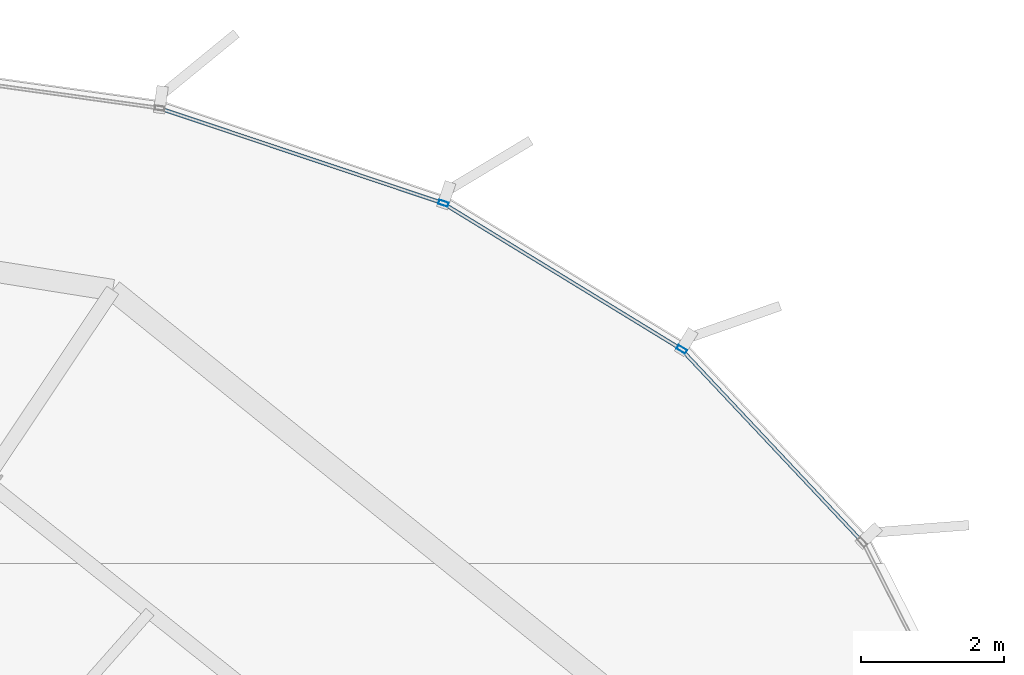
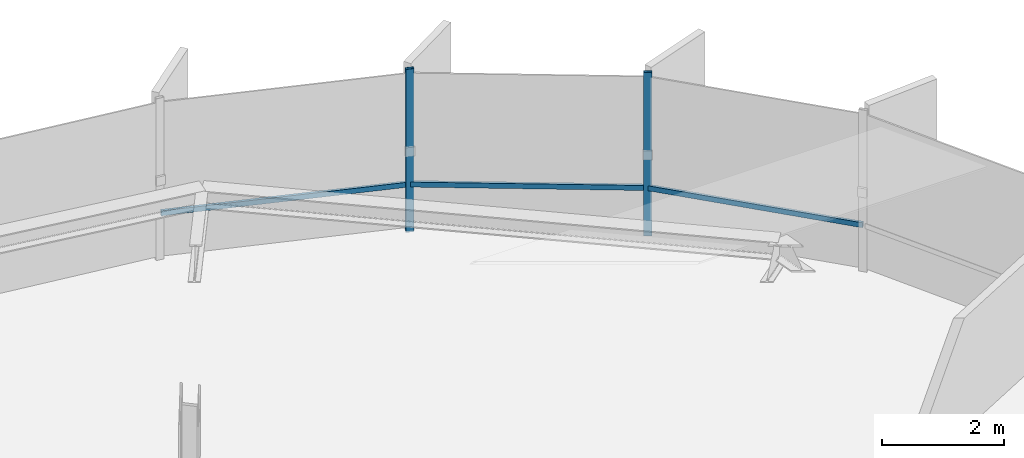
# One storey, part 27 of 36: 5 members, 1 element without a shape of its own.
"""IFC4 building model written with IfcOpenShell, lengths in metres."""

from ifc_helpers import new_model, si_unit, direction, frame, origin, origin_2d, place, context, subcontext, project, spatial, hollow_rectangle, extrude, source, transform, mapped, material, layer, layer_set, material_profile, profile_set, type_object, element, aggregate, save


model = new_model("IFC4")

# Units and contexts
model_context = context("Model", 3, precision=1e-05, world=origin(), true_north=direction((0.0, 1.0)))
body_context = subcontext(model_context, "Body", "Model", "MODEL_VIEW")
ifc_project = project(units=[si_unit("LENGTHUNIT", "METRE"), si_unit("AREAUNIT", "SQUARE_METRE"), si_unit("VOLUMEUNIT", "CUBIC_METRE"), si_unit("PLANEANGLEUNIT", "RADIAN"), si_unit("MASSUNIT", "GRAM", prefix="KILO"), si_unit("THERMODYNAMICTEMPERATUREUNIT", "KELVIN")], contexts=[model_context])

# Site, building, storey
site_placement = place(None, origin())
site = spatial("IfcSite", under=ifc_project, at=site_placement, CompositionType="ELEMENT")
building_placement = place(site_placement, origin())
building = spatial("IfcBuilding", under=site, at=building_placement, Name="Kethvar Cultural Tower", CompositionType="ELEMENT")
storey_placement = place(building_placement, frame((0.0, 0.0, 176.39990234375)))
storey = spatial("IfcBuildingStorey", under=building, at=storey_placement, Name="L45", CompositionType="ELEMENT", Elevation=176.39990234375)

# Curtain wall, members
ifc_material = material(Name="Aluminium 6063-T6", Category="aluminium")
ifc_layer = layer(ifc_material, 0.179931640625, Name="Aluminium 6063-T6", Category="aluminium")
ifc_layer_set = layer_set([ifc_layer], Name="Aluminium 6063-T6 (180 mm)")
curtain_wall_type = type_object("IfcCurtainWallType", Name="CW-SYS-04-Z34", PredefinedType="NOTDEFINED", material=ifc_layer_set)
curtain_wall_placement = place(storey_placement, origin())
curtain_wall = element("IfcCurtainWall", 1, at=curtain_wall_placement, inside=storey, type_object=curtain_wall_type, Name="L45 Curtain Wall Run 01", PredefinedType="NOTDEFINED")
ifc_material_profile_1 = material_profile(ifc_material, hollow_rectangle(XDim=0.06005859375, YDim=0.139892578125, WallThickness=0.0048828125, at=origin_2d()), Name="Aluminium 6063-T6 — RHS140x60x5")
ifc_profile_set_1 = profile_set([ifc_material_profile_1], Name="Aluminium 6063-T6 — RHS140x60x5")
member_type_1 = type_object("IfcMemberType", Name="CW-SYS-04-Z34-MUL", PredefinedType="MULLION", material=ifc_profile_set_1)
shared_shape_1 = source(origin(), body_context, "Body", "SweptSolid", [
    extrude(hollow_rectangle(XDim=0.06005859375, YDim=0.139892578125, WallThickness=0.0048828125, at=origin_2d()), origin(), (0.0, 0.0, 1.0), 3.260009765625),
])
member_1_placement = place(storey_placement, frame((68.46728515625, 47.514892578125, 0.0), z_axis=(0.0, 0.0, 1.0), x_axis=(-0.522126480535, -0.852868066189, 0.0)))
member_1 = element("IfcMember", 2, at=member_1_placement, type_object=member_type_1, Name="CW-L45-R01 Mullion 2", PredefinedType="MULLION", context=body_context, shape_type="MappedRepresentation", body=[
    mapped(shared_shape_1, transform((0.0, 0.0, 0.0), scale=1.0)),
])
member_2_placement = place(storey_placement, frame((65.141845703125, 49.55419921875, 0.0), z_axis=(0.0, 0.0, 1.0), x_axis=(-0.317370861112, -0.948301500851, 0.0)))
member_2 = element("IfcMember", 3, at=member_2_placement, type_object=member_type_1, Name="CW-L45-R01 Mullion 3", PredefinedType="MULLION", context=body_context, shape_type="MappedRepresentation", body=[
    mapped(shared_shape_1, transform((0.0, 0.0, 0.0), scale=1.0)),
])
ifc_material_profile_2 = material_profile(ifc_material, hollow_rectangle(XDim=0.050048828125, YDim=0.10009765625, WallThickness=0.00390625, at=origin_2d()), Name="Aluminium 6063-T6 — RHS100x50x4")
ifc_profile_set_2 = profile_set([ifc_material_profile_2], Name="Aluminium 6063-T6 — RHS100x50x4")
member_type_2 = type_object("IfcMemberType", Name="CW-SYS-04-Z34-TRN", PredefinedType="USERDEFINED", material=ifc_profile_set_2)
shared_shape_2 = source(origin(), body_context, "Body", "SweptSolid", [
    extrude(hollow_rectangle(XDim=0.050048828125, YDim=0.10009765625, WallThickness=0.00390625, at=origin_2d()), origin(), (0.0, 0.0, 1.0), 3.666259765625),
])
member_3_placement = place(storey_placement, frame((70.98583984375, 44.831298828125, 0.9501953125), z_axis=(-0.685098773962, 0.728450183551, 0.0), x_axis=(-0.728450183551, -0.685098773962, 0.0)))
member_3 = element("IfcMember", 4, at=member_3_placement, type_object=member_type_2, Name="CW-L45-R01 Transom 1", ObjectType="TRANSOM", PredefinedType="USERDEFINED", context=body_context, shape_type="MappedRepresentation", body=[
    mapped(shared_shape_2, transform((0.0, 0.0, 0.0), scale=1.0)),
])
shared_shape_3 = source(origin(), body_context, "Body", "SweptSolid", [
    extrude(hollow_rectangle(XDim=0.050048828125, YDim=0.10009765625, WallThickness=0.00390625, at=origin_2d()), origin(), (0.0, 0.0, 1.0), 3.839111328125),
])
member_4_placement = place(storey_placement, frame((68.430419921875, 47.53759765625, 0.9501953125), z_axis=(-0.852891756697, 0.522087781277, 0.0), x_axis=(-0.522087781277, -0.852891756697, 0.0)))
member_4 = element("IfcMember", 5, at=member_4_placement, type_object=member_type_2, Name="CW-L45-R01 Transom 2", ObjectType="TRANSOM", PredefinedType="USERDEFINED", context=body_context, shape_type="MappedRepresentation", body=[
    mapped(shared_shape_3, transform((0.0, 0.0, 0.0), scale=1.0)),
])
shared_shape_4 = source(origin(), body_context, "Body", "SweptSolid", [
    extrude(hollow_rectangle(XDim=0.050048828125, YDim=0.10009765625, WallThickness=0.00390625, at=origin_2d()), origin(), (0.0, 0.0, 1.0), 4.1123046875),
])
member_5_placement = place(storey_placement, frame((65.100830078125, 49.56787109375, 0.9501953125), z_axis=(-0.948314562303, 0.317331830934, 0.0), x_axis=(-0.317331830934, -0.948314562303, 0.0)))
member_5 = element("IfcMember", 6, at=member_5_placement, type_object=member_type_2, Name="CW-L45-R01 Transom 3", ObjectType="TRANSOM", PredefinedType="USERDEFINED", context=body_context, shape_type="MappedRepresentation", body=[
    mapped(shared_shape_4, transform((0.0, 0.0, 0.0), scale=1.0)),
])
aggregate(curtain_wall, [member_1, member_2, member_3, member_4, member_5])

save(model, "model.ifc")
